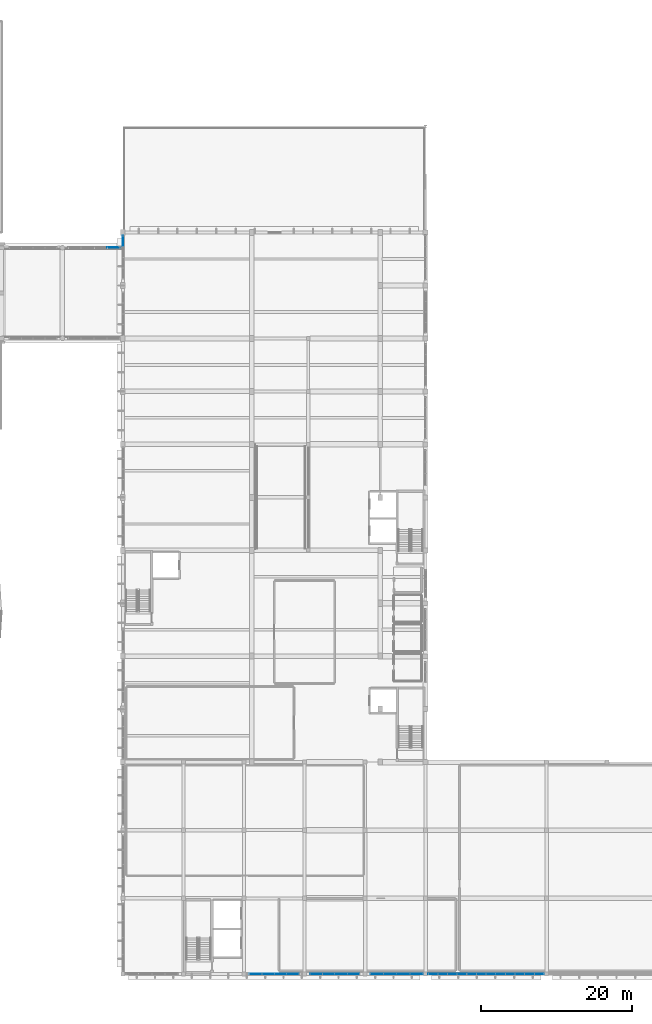
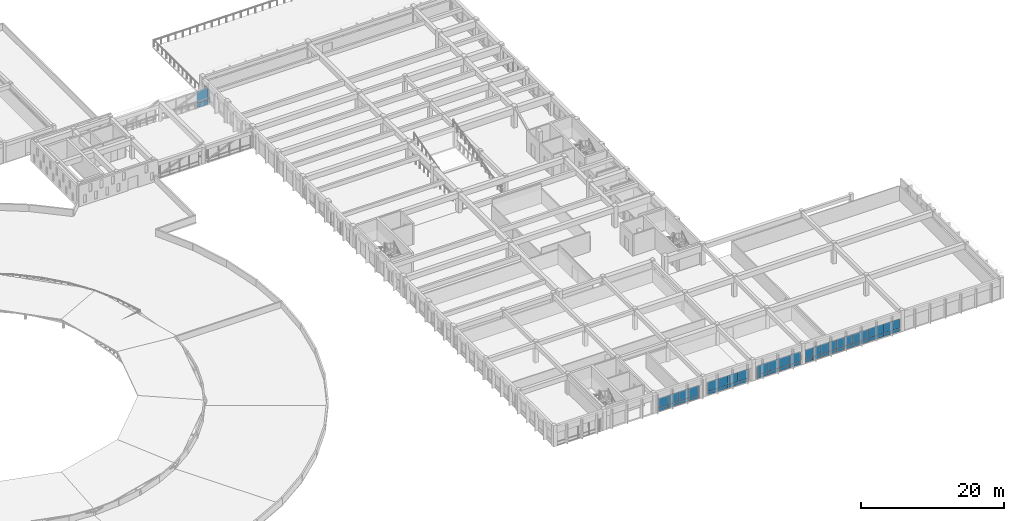
# One storey, part 49 of 77: 52 plates, 8 elements without a shape of their own.
"""IFC4 building model written with IfcOpenShell, lengths in metres."""

from ifc_helpers import new_model, si_unit, direction, frame, origin, origin_2d, place, context, subcontext, project, spatial, rectangle, extrude, material, layer, layer_set, type_object, element, aggregate, save


model = new_model("IFC4")

# Units and contexts
model_context = context("Model", 3, precision=1e-05, world=origin(), true_north=direction((0.0, 1.0)))
body_context = subcontext(model_context, "Body", "Model", "MODEL_VIEW")
ifc_project = project(units=[si_unit("LENGTHUNIT", "METRE"), si_unit("AREAUNIT", "SQUARE_METRE"), si_unit("VOLUMEUNIT", "CUBIC_METRE"), si_unit("PLANEANGLEUNIT", "RADIAN"), si_unit("MASSUNIT", "GRAM", prefix="KILO")], contexts=[model_context])

# Site, building, storey
site_placement = place(None, origin())
site = spatial("IfcSite", under=ifc_project, at=site_placement, CompositionType="ELEMENT")
building_placement = place(site_placement, origin())
building = spatial("IfcBuilding", under=site, at=building_placement, Name="Larkveld Mobility Hub", CompositionType="ELEMENT")
storey_placement = place(building_placement, frame((0.0, 0.0, 12.0)))
storey = spatial("IfcBuildingStorey", under=building, at=storey_placement, Name="L03", CompositionType="ELEMENT", Elevation=12.0)

# Curtain wall, plate
ifc_material_1 = material(Name="Anodised aluminium 6063-T6", Category="aluminium")
curtain_wall_type_1 = type_object("IfcCurtainWallType", Name="CW-SYS-07", PredefinedType="NOTDEFINED", material=ifc_material_1)
curtain_wall_1_placement = place(storey_placement, origin())
curtain_wall_1 = element("IfcCurtainWall", 1, at=curtain_wall_1_placement, inside=storey, type_object=curtain_wall_type_1, Name="Concourse Footbridge L03 North Glazing CW-007", PredefinedType="NOTDEFINED")
ifc_material_2 = material(Name="Low-E laminated solar-control double glazing", Category="glass")
ifc_layer_1 = layer(ifc_material_2, 0.028076171875, Name="Low-E laminated solar-control double glazing", Category="glass")
ifc_layer_set_1 = layer_set([ifc_layer_1], Name="Low-E laminated solar-control double glazing")
plate_type_1 = type_object("IfcPlateType", Name="CW-PNL-GL01", PredefinedType="CURTAIN_PANEL", material=ifc_layer_set_1)
plate_1_placement = place(storey_placement, frame((110.77587890625, 96.0, 0.7041015625), z_axis=(0.0, 0.0, 1.0), x_axis=(-1.0, 0.0, 0.0)))
plate_1 = element("IfcPlate", 2, at=plate_1_placement, type_object=plate_type_1, Name="CW07 panel 1", PredefinedType="CURTAIN_PANEL", context=body_context, shape_type="SweptSolid", body=[
    extrude(rectangle(XDim=1.697998046875, YDim=0.028076171875, at=origin_2d()), origin(), (0.0, 0.0, 1.0), 2.083984375),
])

# Curtain wall, plates
curtain_wall_2_placement = place(storey_placement, origin())
curtain_wall_2 = element("IfcCurtainWall", 3, at=curtain_wall_2_placement, inside=storey, type_object=curtain_wall_type_1, Name="Service Centre South Curtain Wall L03 CW-115", PredefinedType="NOTDEFINED")
plate_2_placement = place(storey_placement, frame((137.5458984375, 0.0, 0.552001953125), z_axis=(0.0, 0.0, 1.0), x_axis=(1.0, 0.0, 0.0)))
plate_2 = element("IfcPlate", 4, at=plate_2_placement, type_object=plate_type_1, Name="CW07 panel 1", PredefinedType="CURTAIN_PANEL", context=body_context, shape_type="SweptSolid", body=[
    extrude(rectangle(XDim=1.612060546875, YDim=0.028076171875, at=origin_2d()), origin(), (0.0, 0.0, 1.0), 1.6259765625),
])
plate_3_placement = place(storey_placement, frame((139.178955078125, 0.0, 0.552001953125), z_axis=(0.0, 0.0, 1.0), x_axis=(1.0, 0.0, 0.0)))
plate_3 = element("IfcPlate", 5, at=plate_3_placement, type_object=plate_type_1, Name="CW07 panel 2", PredefinedType="CURTAIN_PANEL", context=body_context, shape_type="SweptSolid", body=[
    extrude(rectangle(XDim=1.632080078125, YDim=0.028076171875, at=origin_2d()), origin(), (0.0, 0.0, 1.0), 1.6259765625),
])
plate_4_placement = place(storey_placement, frame((140.821044921875, 0.0, 0.552001953125), z_axis=(0.0, 0.0, 1.0), x_axis=(1.0, 0.0, 0.0)))
plate_4 = element("IfcPlate", 6, at=plate_4_placement, type_object=plate_type_1, Name="CW07 panel 3", PredefinedType="CURTAIN_PANEL", context=body_context, shape_type="SweptSolid", body=[
    extrude(rectangle(XDim=1.632080078125, YDim=0.028076171875, at=origin_2d()), origin(), (0.0, 0.0, 1.0), 1.6259765625),
])
plate_5_placement = place(storey_placement, frame((142.4541015625, 0.0, 0.552001953125), z_axis=(0.0, 0.0, 1.0), x_axis=(1.0, 0.0, 0.0)))
plate_5 = element("IfcPlate", 7, at=plate_5_placement, type_object=plate_type_1, Name="CW07 panel 4", PredefinedType="CURTAIN_PANEL", context=body_context, shape_type="SweptSolid", body=[
    extrude(rectangle(XDim=1.612060546875, YDim=0.028076171875, at=origin_2d()), origin(), (0.0, 0.0, 1.0), 1.6259765625),
])

curtain_wall_type_2 = type_object("IfcCurtainWallType", Name="CW-SYS-10", PredefinedType="NOTDEFINED", material=ifc_material_1)
curtain_wall_3_placement = place(storey_placement, origin())
curtain_wall_3 = element("IfcCurtainWall", 8, at=curtain_wall_3_placement, inside=storey, type_object=curtain_wall_type_2, Name="Service Wing South Glazing L03 CW-118", PredefinedType="NOTDEFINED")
plate_6_placement = place(storey_placement, frame((158.097900390625, 0.0, 0.552001953125), z_axis=(0.0, 0.0, 1.0), x_axis=(1.0, 0.0, 0.0)))
plate_6 = element("IfcPlate", 9, at=plate_6_placement, type_object=plate_type_1, Name="CW10 panel 1", PredefinedType="CURTAIN_PANEL", context=body_context, shape_type="SweptSolid", body=[
    extrude(rectangle(XDim=1.2451171875, YDim=0.028076171875, at=origin_2d()), origin(), (0.0, 0.0, 1.0), 1.6259765625),
])
plate_7_placement = place(storey_placement, frame((159.363037109375, 0.0, 0.552001953125), z_axis=(0.0, 0.0, 1.0), x_axis=(1.0, 0.0, 0.0)))
plate_7 = element("IfcPlate", 10, at=plate_7_placement, type_object=plate_type_1, Name="CW10 panel 2", PredefinedType="CURTAIN_PANEL", context=body_context, shape_type="SweptSolid", body=[
    extrude(rectangle(XDim=1.264892578125, YDim=0.028076171875, at=origin_2d()), origin(), (0.0, 0.0, 1.0), 1.6259765625),
])
plate_8_placement = place(storey_placement, frame((160.636962890625, 0.0, 0.552001953125), z_axis=(0.0, 0.0, 1.0), x_axis=(1.0, 0.0, 0.0)))
plate_8 = element("IfcPlate", 11, at=plate_8_placement, type_object=plate_type_1, Name="CW10 panel 3", PredefinedType="CURTAIN_PANEL", context=body_context, shape_type="SweptSolid", body=[
    extrude(rectangle(XDim=1.264892578125, YDim=0.028076171875, at=origin_2d()), origin(), (0.0, 0.0, 1.0), 1.6259765625),
])
plate_9_placement = place(storey_placement, frame((161.902099609375, 0.0, 0.552001953125), z_axis=(0.0, 0.0, 1.0), x_axis=(1.0, 0.0, 0.0)))
plate_9 = element("IfcPlate", 12, at=plate_9_placement, type_object=plate_type_1, Name="CW10 panel 4", PredefinedType="CURTAIN_PANEL", context=body_context, shape_type="SweptSolid", body=[
    extrude(rectangle(XDim=1.2451171875, YDim=0.028076171875, at=origin_2d()), origin(), (0.0, 0.0, 1.0), 1.6259765625),
])

# Curtain wall, plate
curtain_wall_type_3 = type_object("IfcCurtainWallType", Name="CW-SYS-01", PredefinedType="NOTDEFINED", material=ifc_material_1)
curtain_wall_4_placement = place(storey_placement, origin())
curtain_wall_4 = element("IfcCurtainWall", 13, at=curtain_wall_4_placement, inside=storey, type_object=curtain_wall_type_3, Name="EV Wing West Glazing L03 CW-145", PredefinedType="NOTDEFINED")
plate_10_placement = place(storey_placement, frame((112.0, 96.868896484375, 0.552001953125), z_axis=(0.0, 0.0, 1.0), x_axis=(0.0, -1.0, 0.0)))
plate_10 = element("IfcPlate", 14, at=plate_10_placement, type_object=plate_type_1, Name="CW01 panel 1", PredefinedType="CURTAIN_PANEL", context=body_context, shape_type="SweptSolid", body=[
    extrude(rectangle(XDim=1.39306640625, YDim=0.028076171875, at=origin_2d()), origin(), (0.0, 0.0, 1.0), 1.6259765625),
])

# Curtain wall, plates
curtain_wall_type_4 = type_object("IfcCurtainWallType", Name="CW-SYS-08", PredefinedType="NOTDEFINED", material=ifc_material_1)
curtain_wall_5_placement = place(storey_placement, origin())
curtain_wall_5 = element("IfcCurtainWall", 15, at=curtain_wall_5_placement, inside=storey, type_object=curtain_wall_type_4, Name="Service Centre South Curtain Wall L03 CW-116", PredefinedType="NOTDEFINED")
ifc_material_3 = material(Name="Acoustic solar-control laminated double glazing", Category="glass")
ifc_layer_2 = layer(ifc_material_3, 0.031982421875, Name="Acoustic solar-control laminated double glazing", Category="glass")
ifc_layer_set_2 = layer_set([ifc_layer_2], Name="Acoustic solar-control laminated double glazing")
plate_type_2 = type_object("IfcPlateType", Name="CW-PNL-GL02", PredefinedType="CURTAIN_PANEL", material=ifc_layer_set_2)
plate_11_placement = place(storey_placement, frame((145.592041015625, 0.0, 0.552001953125), z_axis=(0.0, 0.0, 1.0), x_axis=(1.0, 0.0, 0.0)))
plate_11 = element("IfcPlate", 16, at=plate_11_placement, type_object=plate_type_2, Name="CW08 panel 1", PredefinedType="CURTAIN_PANEL", context=body_context, shape_type="SweptSolid", body=[
    extrude(rectangle(XDim=1.7041015625, YDim=0.031982421875, at=origin_2d()), origin(), (0.0, 0.0, 1.0), 1.6259765625),
])
plate_12_placement = place(storey_placement, frame((147.31494140625, 0.0, 0.552001953125), z_axis=(0.0, 0.0, 1.0), x_axis=(1.0, 0.0, 0.0)))
plate_12 = element("IfcPlate", 17, at=plate_12_placement, type_object=plate_type_2, Name="CW08 panel 2", PredefinedType="CURTAIN_PANEL", context=body_context, shape_type="SweptSolid", body=[
    extrude(rectangle(XDim=1.72412109375, YDim=0.031982421875, at=origin_2d()), origin(), (0.0, 0.0, 1.0), 1.6259765625),
])
plate_13_placement = place(storey_placement, frame((149.049072265625, 0.0, 0.552001953125), z_axis=(0.0, 0.0, 1.0), x_axis=(1.0, 0.0, 0.0)))
plate_13 = element("IfcPlate", 18, at=plate_13_placement, type_object=plate_type_2, Name="CW08 panel 3", PredefinedType="CURTAIN_PANEL", context=body_context, shape_type="SweptSolid", body=[
    extrude(rectangle(XDim=1.72412109375, YDim=0.031982421875, at=origin_2d()), origin(), (0.0, 0.0, 1.0), 1.6259765625),
])
plate_14_placement = place(storey_placement, frame((150.77294921875, 0.0, 0.552001953125), z_axis=(0.0, 0.0, 1.0), x_axis=(1.0, 0.0, 0.0)))
plate_14 = element("IfcPlate", 19, at=plate_14_placement, type_object=plate_type_2, Name="CW08 panel 4", PredefinedType="CURTAIN_PANEL", context=body_context, shape_type="SweptSolid", body=[
    extrude(rectangle(XDim=1.7041015625, YDim=0.031982421875, at=origin_2d()), origin(), (0.0, 0.0, 1.0), 1.6259765625),
])

curtain_wall_type_5 = type_object("IfcCurtainWallType", Name="CW-SYS-11", PredefinedType="NOTDEFINED", material=ifc_material_1)
curtain_wall_6_placement = place(storey_placement, origin())
curtain_wall_6 = element("IfcCurtainWall", 20, at=curtain_wall_6_placement, inside=storey, type_object=curtain_wall_type_5, Name="Service Wing South Glazing L03 CW-119", PredefinedType="NOTDEFINED")
plate_15_placement = place(storey_placement, frame((163.197021484375, 0.0, 0.552001953125), z_axis=(0.0, 0.0, 1.0), x_axis=(1.0, 0.0, 0.0)))
plate_15 = element("IfcPlate", 21, at=plate_15_placement, type_object=plate_type_2, Name="CW11 panel 1", PredefinedType="CURTAIN_PANEL", context=body_context, shape_type="SweptSolid", body=[
    extrude(rectangle(XDim=1.2451171875, YDim=0.031982421875, at=origin_2d()), origin(), (0.0, 0.0, 1.0), 1.6259765625),
])
plate_16_placement = place(storey_placement, frame((164.462890625, 0.0, 0.552001953125), z_axis=(0.0, 0.0, 1.0), x_axis=(1.0, 0.0, 0.0)))
plate_16 = element("IfcPlate", 22, at=plate_16_placement, type_object=plate_type_2, Name="CW11 panel 2", PredefinedType="CURTAIN_PANEL", context=body_context, shape_type="SweptSolid", body=[
    extrude(rectangle(XDim=1.264892578125, YDim=0.031982421875, at=origin_2d()), origin(), (0.0, 0.0, 1.0), 1.6259765625),
])
plate_17_placement = place(storey_placement, frame((165.738037109375, 0.0, 0.552001953125), z_axis=(0.0, 0.0, 1.0), x_axis=(1.0, 0.0, 0.0)))
plate_17 = element("IfcPlate", 23, at=plate_17_placement, type_object=plate_type_2, Name="CW11 panel 3", PredefinedType="CURTAIN_PANEL", context=body_context, shape_type="SweptSolid", body=[
    extrude(rectangle(XDim=1.264892578125, YDim=0.031982421875, at=origin_2d()), origin(), (0.0, 0.0, 1.0), 1.6259765625),
])
plate_18_placement = place(storey_placement, frame((167.001953125, 0.0, 0.552001953125), z_axis=(0.0, 0.0, 1.0), x_axis=(1.0, 0.0, 0.0)))
plate_18 = element("IfcPlate", 24, at=plate_18_placement, type_object=plate_type_2, Name="CW11 panel 4", PredefinedType="CURTAIN_PANEL", context=body_context, shape_type="SweptSolid", body=[
    extrude(rectangle(XDim=1.2451171875, YDim=0.031982421875, at=origin_2d()), origin(), (0.0, 0.0, 1.0), 1.6259765625),
])

curtain_wall_type_6 = type_object("IfcCurtainWallType", Name="CW-SYS-06", PredefinedType="NOTDEFINED", material=ifc_material_1)
curtain_wall_7_placement = place(storey_placement, origin())
curtain_wall_7 = element("IfcCurtainWall", 25, at=curtain_wall_7_placement, inside=storey, type_object=curtain_wall_type_6, Name="Service Centre South Curtain Wall L03 CW-114", PredefinedType="NOTDEFINED")
ifc_material_4 = material(Name="Tinted safety double glazing", Category="glass")
ifc_layer_3 = layer(ifc_material_4, 0.035888671875, Name="Tinted safety double glazing", Category="glass")
ifc_layer_set_3 = layer_set([ifc_layer_3], Name="Tinted safety double glazing")
plate_type_3 = type_object("IfcPlateType", Name="CW-PNL-GL03", PredefinedType="CURTAIN_PANEL", material=ifc_layer_set_3)
plate_19_placement = place(storey_placement, frame((129.5458984375, 0.0, 0.552001953125), z_axis=(0.0, 0.0, 1.0), x_axis=(1.0, 0.0, 0.0)))
plate_19 = element("IfcPlate", 26, at=plate_19_placement, type_object=plate_type_3, Name="CW06 panel 1", PredefinedType="CURTAIN_PANEL", context=body_context, shape_type="SweptSolid", body=[
    extrude(rectangle(XDim=1.612060546875, YDim=0.035888671875, at=origin_2d()), origin(), (0.0, 0.0, 1.0), 1.6259765625),
])
plate_20_placement = place(storey_placement, frame((131.178955078125, 0.0, 0.552001953125), z_axis=(0.0, 0.0, 1.0), x_axis=(1.0, 0.0, 0.0)))
plate_20 = element("IfcPlate", 27, at=plate_20_placement, type_object=plate_type_3, Name="CW06 panel 2", PredefinedType="CURTAIN_PANEL", context=body_context, shape_type="SweptSolid", body=[
    extrude(rectangle(XDim=1.632080078125, YDim=0.035888671875, at=origin_2d()), origin(), (0.0, 0.0, 1.0), 1.6259765625),
])
plate_21_placement = place(storey_placement, frame((132.821044921875, 0.0, 0.552001953125), z_axis=(0.0, 0.0, 1.0), x_axis=(1.0, 0.0, 0.0)))
plate_21 = element("IfcPlate", 28, at=plate_21_placement, type_object=plate_type_3, Name="CW06 panel 3", PredefinedType="CURTAIN_PANEL", context=body_context, shape_type="SweptSolid", body=[
    extrude(rectangle(XDim=1.632080078125, YDim=0.035888671875, at=origin_2d()), origin(), (0.0, 0.0, 1.0), 1.6259765625),
])
plate_22_placement = place(storey_placement, frame((134.4541015625, 0.0, 0.552001953125), z_axis=(0.0, 0.0, 1.0), x_axis=(1.0, 0.0, 0.0)))
plate_22 = element("IfcPlate", 29, at=plate_22_placement, type_object=plate_type_3, Name="CW06 panel 4", PredefinedType="CURTAIN_PANEL", context=body_context, shape_type="SweptSolid", body=[
    extrude(rectangle(XDim=1.612060546875, YDim=0.035888671875, at=origin_2d()), origin(), (0.0, 0.0, 1.0), 1.6259765625),
])

curtain_wall_type_7 = type_object("IfcCurtainWallType", Name="CW-SYS-09", PredefinedType="NOTDEFINED", material=ifc_material_1)
curtain_wall_8_placement = place(storey_placement, origin())
curtain_wall_8 = element("IfcCurtainWall", 30, at=curtain_wall_8_placement, inside=storey, type_object=curtain_wall_type_7, Name="Service Wing South Glazing L03 CW-117", PredefinedType="NOTDEFINED")
plate_23_placement = place(storey_placement, frame((152.998046875, 0.0, 0.552001953125), z_axis=(0.0, 0.0, 1.0), x_axis=(1.0, 0.0, 0.0)))
plate_23 = element("IfcPlate", 31, at=plate_23_placement, type_object=plate_type_3, Name="CW09 panel 1", PredefinedType="CURTAIN_PANEL", context=body_context, shape_type="SweptSolid", body=[
    extrude(rectangle(XDim=1.2451171875, YDim=0.035888671875, at=origin_2d()), origin(), (0.0, 0.0, 1.0), 1.6259765625),
])
plate_24_placement = place(storey_placement, frame((154.261962890625, 0.0, 0.552001953125), z_axis=(0.0, 0.0, 1.0), x_axis=(1.0, 0.0, 0.0)))
plate_24 = element("IfcPlate", 32, at=plate_24_placement, type_object=plate_type_3, Name="CW09 panel 2", PredefinedType="CURTAIN_PANEL", context=body_context, shape_type="SweptSolid", body=[
    extrude(rectangle(XDim=1.264892578125, YDim=0.035888671875, at=origin_2d()), origin(), (0.0, 0.0, 1.0), 1.6259765625),
])
plate_25_placement = place(storey_placement, frame((155.537109375, 0.0, 0.552001953125), z_axis=(0.0, 0.0, 1.0), x_axis=(1.0, 0.0, 0.0)))
plate_25 = element("IfcPlate", 33, at=plate_25_placement, type_object=plate_type_3, Name="CW09 panel 3", PredefinedType="CURTAIN_PANEL", context=body_context, shape_type="SweptSolid", body=[
    extrude(rectangle(XDim=1.264892578125, YDim=0.035888671875, at=origin_2d()), origin(), (0.0, 0.0, 1.0), 1.6259765625),
])
plate_26_placement = place(storey_placement, frame((156.802978515625, 0.0, 0.552001953125), z_axis=(0.0, 0.0, 1.0), x_axis=(1.0, 0.0, 0.0)))
plate_26 = element("IfcPlate", 34, at=plate_26_placement, type_object=plate_type_3, Name="CW09 panel 4", PredefinedType="CURTAIN_PANEL", context=body_context, shape_type="SweptSolid", body=[
    extrude(rectangle(XDim=1.2451171875, YDim=0.035888671875, at=origin_2d()), origin(), (0.0, 0.0, 1.0), 1.6259765625),
])

# Plate
ifc_material_5 = material(Name="Insulated fluoropolymer aluminium spandrel", Category="aluminium")
ifc_layer_4 = layer(ifc_material_5, 0.06494140625, Name="Insulated fluoropolymer aluminium spandrel", Category="aluminium")
ifc_layer_set_4 = layer_set([ifc_layer_4], Name="Insulated fluoropolymer aluminium spandrel")
plate_type_4 = type_object("IfcPlateType", Name="CW-PNL-SP01", PredefinedType="CURTAIN_PANEL", material=ifc_layer_set_4)
plate_27_placement = place(storey_placement, frame((110.77587890625, 96.0, -0.00048828125), z_axis=(0.0, 0.0, 1.0), x_axis=(-1.0, 0.0, 0.0)))
plate_27 = element("IfcPlate", 35, at=plate_27_placement, type_object=plate_type_4, Name="CW07 spandrel 1", PredefinedType="CURTAIN_PANEL", context=body_context, shape_type="SweptSolid", body=[
    extrude(rectangle(XDim=1.697998046875, YDim=0.06494140625, at=origin_2d()), origin(), (0.0, 0.0, 1.0), 0.693115234375),
])

aggregate(curtain_wall_1, [plate_27, plate_1])

plate_28_placement = place(storey_placement, frame((137.5458984375, 0.0, 0.0), z_axis=(0.0, 0.0, 1.0), x_axis=(1.0, 0.0, 0.0)))
plate_28 = element("IfcPlate", 36, at=plate_28_placement, type_object=plate_type_4, Name="CW07 spandrel 1", PredefinedType="CURTAIN_PANEL", context=body_context, shape_type="SweptSolid", body=[
    extrude(rectangle(XDim=1.612060546875, YDim=0.06494140625, at=origin_2d()), origin(), (0.0, 0.0, 1.0), 0.5400390625),
])

plate_29_placement = place(storey_placement, frame((139.178955078125, 0.0, 0.0), z_axis=(0.0, 0.0, 1.0), x_axis=(1.0, 0.0, 0.0)))
plate_29 = element("IfcPlate", 37, at=plate_29_placement, type_object=plate_type_4, Name="CW07 spandrel 2", PredefinedType="CURTAIN_PANEL", context=body_context, shape_type="SweptSolid", body=[
    extrude(rectangle(XDim=1.632080078125, YDim=0.06494140625, at=origin_2d()), origin(), (0.0, 0.0, 1.0), 0.5400390625),
])

plate_30_placement = place(storey_placement, frame((140.821044921875, 0.0, 0.0), z_axis=(0.0, 0.0, 1.0), x_axis=(1.0, 0.0, 0.0)))
plate_30 = element("IfcPlate", 38, at=plate_30_placement, type_object=plate_type_4, Name="CW07 spandrel 3", PredefinedType="CURTAIN_PANEL", context=body_context, shape_type="SweptSolid", body=[
    extrude(rectangle(XDim=1.632080078125, YDim=0.06494140625, at=origin_2d()), origin(), (0.0, 0.0, 1.0), 0.5400390625),
])

plate_31_placement = place(storey_placement, frame((142.4541015625, 0.0, 0.0), z_axis=(0.0, 0.0, 1.0), x_axis=(1.0, 0.0, 0.0)))
plate_31 = element("IfcPlate", 39, at=plate_31_placement, type_object=plate_type_4, Name="CW07 spandrel 4", PredefinedType="CURTAIN_PANEL", context=body_context, shape_type="SweptSolid", body=[
    extrude(rectangle(XDim=1.612060546875, YDim=0.06494140625, at=origin_2d()), origin(), (0.0, 0.0, 1.0), 0.5400390625),
])

aggregate(curtain_wall_2, [plate_28, plate_2, plate_29, plate_3, plate_30, plate_4, plate_31, plate_5])

plate_32_placement = place(storey_placement, frame((152.998046875, 0.0, 0.0), z_axis=(0.0, 0.0, 1.0), x_axis=(1.0, 0.0, 0.0)))
plate_32 = element("IfcPlate", 40, at=plate_32_placement, type_object=plate_type_4, Name="CW09 spandrel 1", PredefinedType="CURTAIN_PANEL", context=body_context, shape_type="SweptSolid", body=[
    extrude(rectangle(XDim=1.2451171875, YDim=0.06494140625, at=origin_2d()), origin(), (0.0, 0.0, 1.0), 0.5400390625),
])

plate_33_placement = place(storey_placement, frame((154.261962890625, 0.0, 0.0), z_axis=(0.0, 0.0, 1.0), x_axis=(1.0, 0.0, 0.0)))
plate_33 = element("IfcPlate", 41, at=plate_33_placement, type_object=plate_type_4, Name="CW09 spandrel 2", PredefinedType="CURTAIN_PANEL", context=body_context, shape_type="SweptSolid", body=[
    extrude(rectangle(XDim=1.264892578125, YDim=0.06494140625, at=origin_2d()), origin(), (0.0, 0.0, 1.0), 0.5400390625),
])

plate_34_placement = place(storey_placement, frame((155.537109375, 0.0, 0.0), z_axis=(0.0, 0.0, 1.0), x_axis=(1.0, 0.0, 0.0)))
plate_34 = element("IfcPlate", 42, at=plate_34_placement, type_object=plate_type_4, Name="CW09 spandrel 3", PredefinedType="CURTAIN_PANEL", context=body_context, shape_type="SweptSolid", body=[
    extrude(rectangle(XDim=1.264892578125, YDim=0.06494140625, at=origin_2d()), origin(), (0.0, 0.0, 1.0), 0.5400390625),
])

plate_35_placement = place(storey_placement, frame((156.802978515625, 0.0, 0.0), z_axis=(0.0, 0.0, 1.0), x_axis=(1.0, 0.0, 0.0)))
plate_35 = element("IfcPlate", 43, at=plate_35_placement, type_object=plate_type_4, Name="CW09 spandrel 4", PredefinedType="CURTAIN_PANEL", context=body_context, shape_type="SweptSolid", body=[
    extrude(rectangle(XDim=1.2451171875, YDim=0.06494140625, at=origin_2d()), origin(), (0.0, 0.0, 1.0), 0.5400390625),
])

aggregate(curtain_wall_8, [plate_32, plate_23, plate_33, plate_24, plate_34, plate_25, plate_35, plate_26])

plate_36_placement = place(storey_placement, frame((163.197021484375, 0.0, 0.0), z_axis=(0.0, 0.0, 1.0), x_axis=(1.0, 0.0, 0.0)))
plate_36 = element("IfcPlate", 44, at=plate_36_placement, type_object=plate_type_4, Name="CW11 spandrel 1", PredefinedType="CURTAIN_PANEL", context=body_context, shape_type="SweptSolid", body=[
    extrude(rectangle(XDim=1.2451171875, YDim=0.06494140625, at=origin_2d()), origin(), (0.0, 0.0, 1.0), 0.5400390625),
])

plate_37_placement = place(storey_placement, frame((164.462890625, 0.0, 0.0), z_axis=(0.0, 0.0, 1.0), x_axis=(1.0, 0.0, 0.0)))
plate_37 = element("IfcPlate", 45, at=plate_37_placement, type_object=plate_type_4, Name="CW11 spandrel 2", PredefinedType="CURTAIN_PANEL", context=body_context, shape_type="SweptSolid", body=[
    extrude(rectangle(XDim=1.264892578125, YDim=0.06494140625, at=origin_2d()), origin(), (0.0, 0.0, 1.0), 0.5400390625),
])

plate_38_placement = place(storey_placement, frame((165.738037109375, 0.0, 0.0), z_axis=(0.0, 0.0, 1.0), x_axis=(1.0, 0.0, 0.0)))
plate_38 = element("IfcPlate", 46, at=plate_38_placement, type_object=plate_type_4, Name="CW11 spandrel 3", PredefinedType="CURTAIN_PANEL", context=body_context, shape_type="SweptSolid", body=[
    extrude(rectangle(XDim=1.264892578125, YDim=0.06494140625, at=origin_2d()), origin(), (0.0, 0.0, 1.0), 0.5400390625),
])

plate_39_placement = place(storey_placement, frame((167.001953125, 0.0, 0.0), z_axis=(0.0, 0.0, 1.0), x_axis=(1.0, 0.0, 0.0)))
plate_39 = element("IfcPlate", 47, at=plate_39_placement, type_object=plate_type_4, Name="CW11 spandrel 4", PredefinedType="CURTAIN_PANEL", context=body_context, shape_type="SweptSolid", body=[
    extrude(rectangle(XDim=1.2451171875, YDim=0.06494140625, at=origin_2d()), origin(), (0.0, 0.0, 1.0), 0.5400390625),
])

aggregate(curtain_wall_6, [plate_36, plate_15, plate_37, plate_16, plate_38, plate_17, plate_39, plate_18])

plate_40_placement = place(storey_placement, frame((112.0, 96.868896484375, 0.0), z_axis=(0.0, 0.0, 1.0), x_axis=(0.0, -1.0, 0.0)))
plate_40 = element("IfcPlate", 48, at=plate_40_placement, type_object=plate_type_4, Name="CW01 spandrel 1", PredefinedType="CURTAIN_PANEL", context=body_context, shape_type="SweptSolid", body=[
    extrude(rectangle(XDim=1.39306640625, YDim=0.06494140625, at=origin_2d()), origin(), (0.0, 0.0, 1.0), 0.5400390625),
])

aggregate(curtain_wall_4, [plate_40, plate_10])

ifc_material_6 = material(Name="Insulated terracotta-toned aluminium spandrel", Category="masonry")
ifc_layer_5 = layer(ifc_material_6, 0.080078125, Name="Insulated terracotta-toned aluminium spandrel", Category="masonry")
ifc_layer_set_5 = layer_set([ifc_layer_5], Name="Insulated terracotta-toned aluminium spandrel")
plate_type_5 = type_object("IfcPlateType", Name="CW-PNL-SP02", PredefinedType="CURTAIN_PANEL", material=ifc_layer_set_5)
plate_41_placement = place(storey_placement, frame((129.5458984375, 0.0, 0.0), z_axis=(0.0, 0.0, 1.0), x_axis=(1.0, 0.0, 0.0)))
plate_41 = element("IfcPlate", 49, at=plate_41_placement, type_object=plate_type_5, Name="CW06 spandrel 1", PredefinedType="CURTAIN_PANEL", context=body_context, shape_type="SweptSolid", body=[
    extrude(rectangle(XDim=1.612060546875, YDim=0.080078125, at=origin_2d()), origin(), (0.0, 0.0, 1.0), 0.5400390625),
])

plate_42_placement = place(storey_placement, frame((131.178955078125, 0.0, 0.0), z_axis=(0.0, 0.0, 1.0), x_axis=(1.0, 0.0, 0.0)))
plate_42 = element("IfcPlate", 50, at=plate_42_placement, type_object=plate_type_5, Name="CW06 spandrel 2", PredefinedType="CURTAIN_PANEL", context=body_context, shape_type="SweptSolid", body=[
    extrude(rectangle(XDim=1.632080078125, YDim=0.080078125, at=origin_2d()), origin(), (0.0, 0.0, 1.0), 0.5400390625),
])

plate_43_placement = place(storey_placement, frame((132.821044921875, 0.0, 0.0), z_axis=(0.0, 0.0, 1.0), x_axis=(1.0, 0.0, 0.0)))
plate_43 = element("IfcPlate", 51, at=plate_43_placement, type_object=plate_type_5, Name="CW06 spandrel 3", PredefinedType="CURTAIN_PANEL", context=body_context, shape_type="SweptSolid", body=[
    extrude(rectangle(XDim=1.632080078125, YDim=0.080078125, at=origin_2d()), origin(), (0.0, 0.0, 1.0), 0.5400390625),
])

plate_44_placement = place(storey_placement, frame((134.4541015625, 0.0, 0.0), z_axis=(0.0, 0.0, 1.0), x_axis=(1.0, 0.0, 0.0)))
plate_44 = element("IfcPlate", 52, at=plate_44_placement, type_object=plate_type_5, Name="CW06 spandrel 4", PredefinedType="CURTAIN_PANEL", context=body_context, shape_type="SweptSolid", body=[
    extrude(rectangle(XDim=1.612060546875, YDim=0.080078125, at=origin_2d()), origin(), (0.0, 0.0, 1.0), 0.5400390625),
])

aggregate(curtain_wall_7, [plate_41, plate_19, plate_42, plate_20, plate_43, plate_21, plate_44, plate_22])

plate_45_placement = place(storey_placement, frame((145.592041015625, 0.0, 0.0), z_axis=(0.0, 0.0, 1.0), x_axis=(1.0, 0.0, 0.0)))
plate_45 = element("IfcPlate", 53, at=plate_45_placement, type_object=plate_type_5, Name="CW08 spandrel 1", PredefinedType="CURTAIN_PANEL", context=body_context, shape_type="SweptSolid", body=[
    extrude(rectangle(XDim=1.7041015625, YDim=0.080078125, at=origin_2d()), origin(), (0.0, 0.0, 1.0), 0.5400390625),
])

plate_46_placement = place(storey_placement, frame((147.31494140625, 0.0, 0.0), z_axis=(0.0, 0.0, 1.0), x_axis=(1.0, 0.0, 0.0)))
plate_46 = element("IfcPlate", 54, at=plate_46_placement, type_object=plate_type_5, Name="CW08 spandrel 2", PredefinedType="CURTAIN_PANEL", context=body_context, shape_type="SweptSolid", body=[
    extrude(rectangle(XDim=1.72412109375, YDim=0.080078125, at=origin_2d()), origin(), (0.0, 0.0, 1.0), 0.5400390625),
])

plate_47_placement = place(storey_placement, frame((149.049072265625, 0.0, 0.0), z_axis=(0.0, 0.0, 1.0), x_axis=(1.0, 0.0, 0.0)))
plate_47 = element("IfcPlate", 55, at=plate_47_placement, type_object=plate_type_5, Name="CW08 spandrel 3", PredefinedType="CURTAIN_PANEL", context=body_context, shape_type="SweptSolid", body=[
    extrude(rectangle(XDim=1.72412109375, YDim=0.080078125, at=origin_2d()), origin(), (0.0, 0.0, 1.0), 0.5400390625),
])

plate_48_placement = place(storey_placement, frame((150.77294921875, 0.0, 0.0), z_axis=(0.0, 0.0, 1.0), x_axis=(1.0, 0.0, 0.0)))
plate_48 = element("IfcPlate", 56, at=plate_48_placement, type_object=plate_type_5, Name="CW08 spandrel 4", PredefinedType="CURTAIN_PANEL", context=body_context, shape_type="SweptSolid", body=[
    extrude(rectangle(XDim=1.7041015625, YDim=0.080078125, at=origin_2d()), origin(), (0.0, 0.0, 1.0), 0.5400390625),
])

aggregate(curtain_wall_5, [plate_45, plate_11, plate_46, plate_12, plate_47, plate_13, plate_48, plate_14])

plate_49_placement = place(storey_placement, frame((158.097900390625, 0.0, 0.0), z_axis=(0.0, 0.0, 1.0), x_axis=(1.0, 0.0, 0.0)))
plate_49 = element("IfcPlate", 57, at=plate_49_placement, type_object=plate_type_5, Name="CW10 spandrel 1", PredefinedType="CURTAIN_PANEL", context=body_context, shape_type="SweptSolid", body=[
    extrude(rectangle(XDim=1.2451171875, YDim=0.080078125, at=origin_2d()), origin(), (0.0, 0.0, 1.0), 0.5400390625),
])

plate_50_placement = place(storey_placement, frame((159.363037109375, 0.0, 0.0), z_axis=(0.0, 0.0, 1.0), x_axis=(1.0, 0.0, 0.0)))
plate_50 = element("IfcPlate", 58, at=plate_50_placement, type_object=plate_type_5, Name="CW10 spandrel 2", PredefinedType="CURTAIN_PANEL", context=body_context, shape_type="SweptSolid", body=[
    extrude(rectangle(XDim=1.264892578125, YDim=0.080078125, at=origin_2d()), origin(), (0.0, 0.0, 1.0), 0.5400390625),
])

plate_51_placement = place(storey_placement, frame((160.636962890625, 0.0, 0.0), z_axis=(0.0, 0.0, 1.0), x_axis=(1.0, 0.0, 0.0)))
plate_51 = element("IfcPlate", 59, at=plate_51_placement, type_object=plate_type_5, Name="CW10 spandrel 3", PredefinedType="CURTAIN_PANEL", context=body_context, shape_type="SweptSolid", body=[
    extrude(rectangle(XDim=1.264892578125, YDim=0.080078125, at=origin_2d()), origin(), (0.0, 0.0, 1.0), 0.5400390625),
])

plate_52_placement = place(storey_placement, frame((161.902099609375, 0.0, 0.0), z_axis=(0.0, 0.0, 1.0), x_axis=(1.0, 0.0, 0.0)))
plate_52 = element("IfcPlate", 60, at=plate_52_placement, type_object=plate_type_5, Name="CW10 spandrel 4", PredefinedType="CURTAIN_PANEL", context=body_context, shape_type="SweptSolid", body=[
    extrude(rectangle(XDim=1.2451171875, YDim=0.080078125, at=origin_2d()), origin(), (0.0, 0.0, 1.0), 0.5400390625),
])

aggregate(curtain_wall_3, [plate_49, plate_6, plate_50, plate_7, plate_51, plate_8, plate_52, plate_9])

save(model, "model.ifc")
